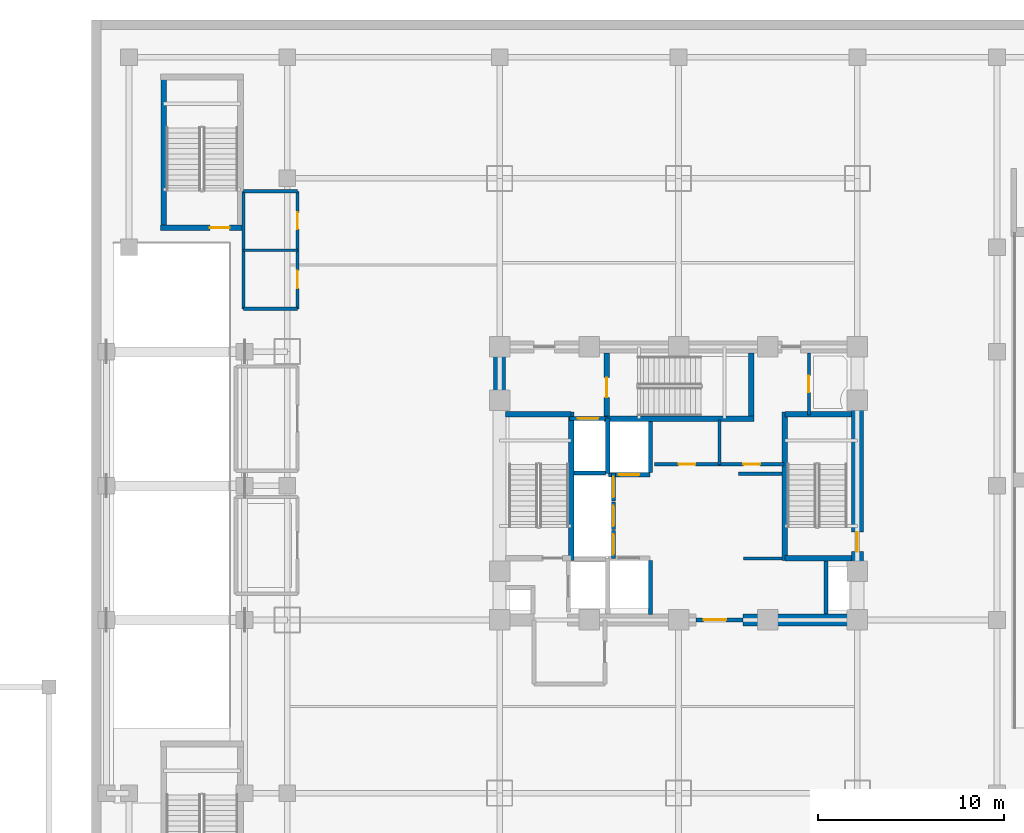
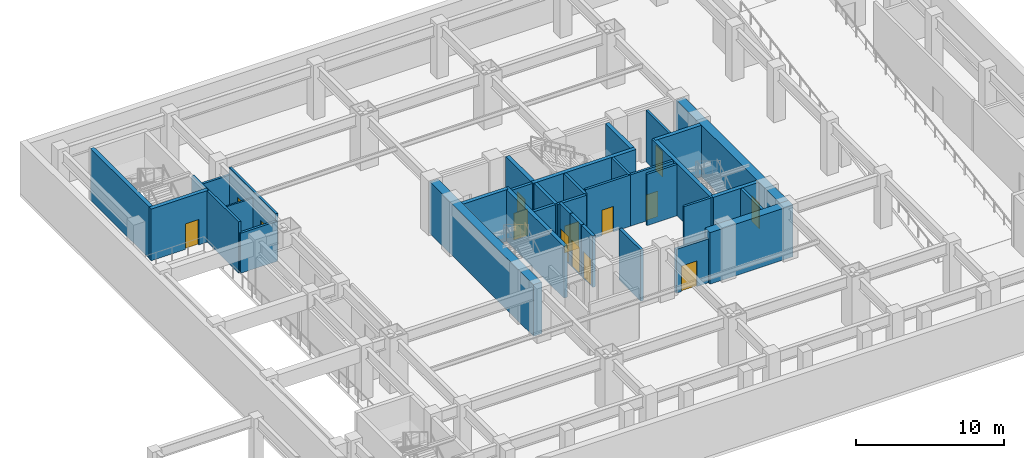
# One storey, part 4 of 12: 35 walls, 14 doors, 14 openings.
"""IFC4 building model written with IfcOpenShell, lengths in metres."""

import ifcopenshell
import ifcopenshell.guid

model = None  # the IFC model being written
_history = None  # IfcOwnerHistory: only IFC2X3 demands one
_inside = {}  # id of a spatial element -> (the spatial element, [elements in it])
_under = {}  # id of a project, library or spatial element -> (it, [spatial elements below it])
_declared = {}  # id of a project -> (the project, [libraries it declares])
_typed = {}  # id of a type object -> (the type object, [elements of that type])
_made_of = {}  # id of a material, layer set ... -> (it, [elements and type objects made of it])


def new_model(schema):
    """Start an empty IFC model of exactly this schema.

    Asked for "IFC4X3", IfcOpenShell would pick the latest addendum, in which some entities
    have other attributes; the version numbers below select the first issue.
    IFC2X3 requires an IfcOwnerHistory on every rooted entity: one is made here for all.
    """
    global model, _history
    if schema == "IFC4X3":
        model = ifcopenshell.file(schema_version=(4, 3, 0, 0))
    else:
        model = ifcopenshell.file(schema=schema)
    _inside.clear()
    _under.clear()
    _declared.clear()
    _typed.clear()
    _made_of.clear()
    _history = None
    if model.schema == "IFC2X3":
        org = make("IfcOrganization", Name="unknown")
        user = make(
            "IfcPersonAndOrganization",
            ThePerson=make("IfcPerson", FamilyName="unknown"),
            TheOrganization=org,
        )
        app = make(
            "IfcApplication",
            ApplicationDeveloper=org,
            Version="unknown",
            ApplicationFullName="unknown",
            ApplicationIdentifier="unknown",
        )
        _history = make(
            "IfcOwnerHistory",
            OwningUser=user,
            OwningApplication=app,
            ChangeAction="ADDED",
            CreationDate=0,
        )
    return model


def make(cls, **values):
    """One entity of the class cls with the attributes given. An attribute that is None is left unset."""
    return model.create_entity(
        cls, **{name: value for name, value in values.items() if value is not None}
    )


def rooted(cls, **values):
    """An entity with a GlobalId (a new one), such as an element, a storey or a relation."""
    return make(cls, GlobalId=ifcopenshell.guid.new(), OwnerHistory=_history, **values)


def si_unit(unit_type, name, prefix=None):
    """IfcSIUnit, for example si_unit("LENGTHUNIT", "METRE", prefix="MILLI")."""
    return make("IfcSIUnit", UnitType=unit_type, Prefix=prefix, Name=name)


def assignment(units):
    """IfcUnitAssignment: the units of a project."""
    return None if units is None else make("IfcUnitAssignment", Units=units)


def point(xyz):
    """IfcCartesianPoint."""
    return None if xyz is None else make("IfcCartesianPoint", Coordinates=xyz)


def direction(xyz):
    """IfcDirection."""
    return None if xyz is None else make("IfcDirection", DirectionRatios=xyz)


def frame(location, z_axis=None, x_axis=None):
    """IfcAxis2Placement3D, a coordinate frame: its origin and axes. An axis left out is left unset."""
    return make(
        "IfcAxis2Placement3D",
        Location=point(location),
        Axis=direction(z_axis),
        RefDirection=direction(x_axis),
    )


def frame_2d(location, x_axis=None):
    """IfcAxis2Placement2D, a coordinate frame in the plane: its origin and x axis."""
    return make(
        "IfcAxis2Placement2D", Location=point(location), RefDirection=direction(x_axis)
    )


def origin():
    """The frame at (0, 0, 0) with its axes left unset."""
    return frame((0.0, 0.0, 0.0))


def place(relative_to, where):
    """IfcLocalPlacement: puts the frame where relative to a parent placement (None: the world)."""
    return make(
        "IfcLocalPlacement", PlacementRelTo=relative_to, RelativePlacement=where
    )


def context(
    kind, dimensions, precision=None, world=None, true_north=None, identifier=None
):
    """IfcGeometricRepresentationContext, for example the 3D "Model" context."""
    return make(
        "IfcGeometricRepresentationContext",
        ContextIdentifier=identifier,
        ContextType=kind,
        CoordinateSpaceDimension=dimensions,
        Precision=precision,
        WorldCoordinateSystem=world,
        TrueNorth=true_north,
    )


def subcontext(parent, identifier, kind, view, scale=None):
    """IfcGeometricRepresentationSubContext, for example "Body" below "Model"."""
    return make(
        "IfcGeometricRepresentationSubContext",
        ContextIdentifier=identifier,
        ContextType=kind,
        ParentContext=parent,
        TargetScale=scale,
        TargetView=view,
    )


def project(units=None, contexts=None):
    """IfcProject with its units and contexts."""
    return rooted(
        "IfcProject",
        Name="project",
        RepresentationContexts=contexts,
        UnitsInContext=assignment(units),
    )


def spatial(cls, under=None, at=None, **own):
    """A site, building, storey or space (cls), placed at a placement, below another one or the project."""
    s = rooted(cls, ObjectPlacement=at, **own)
    if under is not None:
        _under.setdefault(under.id(), (under, []))[1].append(s)
    return s


def profile(cls, at=None, kind="AREA", **sizes):
    """A parametric profile (cls). Its sizes go by their IFC names, for example OverallWidth=200.0."""
    return make(cls, ProfileType=kind, Position=at, **sizes)


def rectangle(**sizes):
    """IfcRectangleProfileDef."""
    return profile("IfcRectangleProfileDef", **sizes)


def extrude(swept, where, along, depth):
    """IfcExtrudedAreaSolid: the profile swept, set in the frame where, extruded along a direction by depth."""
    return make(
        "IfcExtrudedAreaSolid",
        SweptArea=swept,
        Position=where,
        ExtrudedDirection=direction(along),
        Depth=depth,
    )


def shape(context_of_items, identifier, shape_type, items):
    """IfcShapeRepresentation: the items that make up one representation, for example the "Body"."""
    return make(
        "IfcShapeRepresentation",
        ContextOfItems=context_of_items,
        RepresentationIdentifier=identifier,
        RepresentationType=shape_type,
        Items=items,
    )


def material(Name=None, Category=None):
    """IfcMaterial."""
    return make("IfcMaterial", Name=Name, Category=Category)


def layer(
    of_material, thickness, ventilated=None, Name=None, Category=None, Priority=None
):
    """IfcMaterialLayer: one layer of a wall or slab, of a material (None: an air gap)."""
    return make(
        "IfcMaterialLayer",
        Material=of_material,
        LayerThickness=thickness,
        IsVentilated=ventilated,
        Name=Name,
        Category=Category,
        Priority=Priority,
    )


def layer_set(layers, Name=None):
    """IfcMaterialLayerSet."""
    return make("IfcMaterialLayerSet", MaterialLayers=layers, LayerSetName=Name)


def made_of(thing, what):
    """Note that an element or type object is made of a material, layer set ...; save() writes the relation."""
    if what is not None:
        _made_of.setdefault(what.id(), (what, []))[1].append(thing)
    return thing


def type_object(cls, material=None, **own):
    """A type object (cls), such as IfcWallType, which elements share."""
    return made_of(rooted(cls, **own), material)


def element(
    cls,
    number,
    at=None,
    inside=None,
    cuts=None,
    type_object=None,
    material=None,
    context=None,
    identifier="Body",
    shape_type=None,
    held_by="IfcProductDefinitionShape",
    body=None,
    shapes=None,
    **own,
):
    """One element of the class cls, such as IfcWall. Its Tag is "e" and its number.

    at: its placement. inside: the storey or other place that contains it. cuts: it is an
    opening in that element (IfcRelVoidsElement). A single representation is given by context,
    identifier, shape_type and body (its items); several are given by shapes. held_by: the class
    of the entity that holds the representations. save() writes the other relations.
    """
    e = rooted(cls, Tag="e%d" % number, ObjectPlacement=at, **own)
    if body is not None:
        shapes = [shape(context, identifier, shape_type, body)]
    if shapes is not None:
        e.Representation = make(held_by, Representations=shapes)
    if inside is not None:
        _inside.setdefault(inside.id(), (inside, []))[1].append(e)
    if cuts is not None:
        rooted(
            "IfcRelVoidsElement", RelatingBuildingElement=cuts, RelatedOpeningElement=e
        )
    if type_object is not None:
        _typed.setdefault(type_object.id(), (type_object, []))[1].append(e)
    return made_of(e, material)


def fill(opening, filler):
    """IfcRelFillsElement: the door or window that sits in an opening."""
    return rooted(
        "IfcRelFillsElement",
        RelatingOpeningElement=opening,
        RelatedBuildingElement=filler,
    )


def aggregate(whole, parts):
    """IfcRelAggregates: a whole, such as a stair, and the parts it consists of."""
    return rooted("IfcRelAggregates", RelatingObject=whole, RelatedObjects=parts)


def save(model, path):
    """Write the relations noted so far, then the file.

    IfcRelAggregates (storeys below a building ...), IfcRelContainedInSpatialStructure (elements
    in a storey), IfcRelDefinesByType, IfcRelAssociatesMaterial and IfcRelDeclares: one each for
    every whole, place, type object, material and project.
    """
    for whole, parts in _under.values():
        aggregate(whole, parts)
    for where, things in _inside.values():
        rooted(
            "IfcRelContainedInSpatialStructure",
            RelatedElements=things,
            RelatingStructure=where,
        )
    for kind, things in _typed.values():
        rooted("IfcRelDefinesByType", RelatedObjects=things, RelatingType=kind)
    for what, things in _made_of.values():
        rooted("IfcRelAssociatesMaterial", RelatedObjects=things, RelatingMaterial=what)
    for by, libraries in _declared.values():
        rooted("IfcRelDeclares", RelatingContext=by, RelatedDefinitions=libraries)
    model.write(path)


model = new_model("IFC4")

# Units and contexts
model_context = context("Model", 3, precision=1e-05, world=origin(), true_north=direction((0.0, 1.0)))
body_context = subcontext(model_context, "Body", "Model", "MODEL_VIEW")
ifc_project = project(units=[si_unit("LENGTHUNIT", "METRE"), si_unit("AREAUNIT", "SQUARE_METRE"), si_unit("VOLUMEUNIT", "CUBIC_METRE"), si_unit("PLANEANGLEUNIT", "RADIAN"), si_unit("MASSUNIT", "GRAM", prefix="KILO")], contexts=[model_context])

# Site, building, storey
site_placement = place(None, origin())
site = spatial("IfcSite", under=ifc_project, at=site_placement, CompositionType="ELEMENT")
building_placement = place(site_placement, origin())
building = spatial("IfcBuilding", under=site, at=building_placement, Name="Vantalir Tower", CompositionType="ELEMENT")
storey_placement = place(building_placement, frame((0.0, 0.0, -4.5)))
storey = spatial("IfcBuildingStorey", under=building, at=storey_placement, Name="B01", CompositionType="ELEMENT", Elevation=-4.5)

# Walls
ifc_material_1 = material(Name="Moisture-resistant en-suite partition", Category="gypsum")
ifc_layer_1 = layer(ifc_material_1, 0.125)
ifc_layer_set_1 = layer_set([ifc_layer_1], Name="Moisture-resistant en-suite partition")
wall_type_1 = type_object("IfcWallType", Name="WL-BATH-125", PredefinedType="PARTITIONING", material=ifc_layer_set_1)
wall_1_placement = place(storey_placement, frame((8.14990234375, 37.64990234375, 0.0), z_axis=(0.0, 0.0, 1.0), x_axis=(1.0, 0.0, 0.0)))
element("IfcWall", 1, at=wall_1_placement, inside=storey, type_object=wall_type_1, Name="B01 Sanitary Divider", PredefinedType="PARTITIONING", context=body_context, shape_type="SweptSolid", body=[
    extrude(rectangle(XDim=2.900146484375, YDim=0.125, at=frame_2d((1.4501953125, 0.0))), origin(), (0.0, 0.0, 1.0), 3.298095703125),
])
ifc_material_2 = material(Name="Concrete C60/75", Category="concrete")
ifc_layer_2 = layer(ifc_material_2, 0.64990234375)
ifc_layer_set_2 = layer_set([ifc_layer_2], Name="Concrete C60/75")
wall_type_2 = type_object("IfcWallType", Name="WL-CORE-650", PredefinedType="SHEAR", material=ifc_layer_set_2)
wall_2_placement = place(storey_placement, frame((34.949951171875, 17.800048828125, 0.0), z_axis=(0.0, 0.0, 1.0), x_axis=(1.0, 0.0, 0.0)))
element("IfcWall", 2, at=wall_2_placement, inside=storey, type_object=wall_type_2, Name="B01 Core Shear Wall South-East", PredefinedType="SHEAR", context=body_context, shape_type="SweptSolid", body=[
    extrude(rectangle(XDim=6.47509765625, YDim=0.64990234375, at=frame_2d((3.237548828125, 0.0))), origin(), (0.0, 0.0, 1.0), 4.25),
])
wall_3_placement = place(storey_placement, frame((21.89990234375, 18.125, 0.0), z_axis=(0.0, 0.0, 1.0), x_axis=(0.0, 1.0, 0.0)))
element("IfcWall", 3, at=wall_3_placement, inside=storey, type_object=wall_type_2, Name="B01 Core Shear Wall West", PredefinedType="SHEAR", context=body_context, shape_type="SweptSolid", body=[
    extrude(rectangle(XDim=14.0, YDim=0.64990234375, at=frame_2d((7.0, 0.0))), origin(), (0.0, 0.0, 1.0), 4.25),
])

# Wall, opening, door
wall_4_placement = place(storey_placement, frame((41.10009765625, 18.125, 0.0), z_axis=(0.0, 0.0, 1.0), x_axis=(0.0, 1.0, 0.0)))
wall_4 = element("IfcWall", 4, at=wall_4_placement, inside=storey, type_object=wall_type_2, Name="B01 Core Shear Wall East", PredefinedType="SHEAR", context=body_context, shape_type="SweptSolid", body=[
    extrude(rectangle(XDim=14.0, YDim=0.64990234375, at=frame_2d((7.0, 0.0))), origin(), (0.0, 0.0, 1.0), 4.25),
])
opening_1_placement = place(wall_4_placement, frame((3.3349609375, 0.0, 0.0)))
opening_1 = element("IfcOpeningElement", 5, at=opening_1_placement, cuts=wall_4, Name="Opening D-ST", PredefinedType="OPENING", context=body_context, shape_type="SweptSolid", body=[
    extrude(rectangle(XDim=1.050048828125, YDim=2.10009765625, at=frame_2d((0.52490234375, 1.050048828125))), frame((0.0, 0.3349609375, 0.0), z_axis=(0.0, -1.0, 0.0), x_axis=(1.0, 0.0, 0.0)), (0.0, 0.0, 1.0), 0.669921875),
])
ifc_material_3 = material(Name="Fire-rated steel door leaf", Category="steel")
door_type_1 = type_object("IfcDoorType", Name="DR-FIRE-STAIR-1050", OperationType="NOTDEFINED", PredefinedType="DOOR", material=ifc_material_3)
door_1_placement = place(opening_1_placement, origin())
door_1 = element("IfcDoor", 6, at=door_1_placement, inside=storey, type_object=door_type_1, Name="B01 Exit Stair ST2 Fire Door", OperationType="SINGLE_SWING_LEFT", OverallHeight=2.10009765625, OverallWidth=1.050048828125, PredefinedType="DOOR", context=body_context, shape_type="SweptSolid", body=[
    extrude(rectangle(XDim=1.050048828125, YDim=2.10009765625, at=frame_2d((0.52490234375, 1.050048828125))), frame((0.0, 0.02490234375, 0.0), z_axis=(0.0, -1.0, 0.0), x_axis=(1.0, 0.0, 0.0)), (0.0, 0.0, 1.0), 0.050048828125),
])
fill(opening_1, door_1)

# Walls
ifc_material_4 = material(Name="Concrete blockwork with fireboard lining", Category="masonry")
ifc_layer_3 = layer(ifc_material_4, 0.219970703125)
ifc_layer_set_3 = layer_set([ifc_layer_3], Name="Concrete blockwork with fireboard lining")
wall_type_3 = type_object("IfcWallType", Name="WL-FFL-220", PredefinedType="PARTITIONING", material=ifc_layer_set_3)
wall_5_placement = place(storey_placement, frame((30.0, 18.080078125, 0.0), z_axis=(0.0, 0.0, 1.0), x_axis=(0.0, 1.0, 0.0)))
element("IfcWall", 7, at=wall_5_placement, inside=storey, type_object=wall_type_3, Name="B01 Service Lift SV1 East Shaft Wall", PredefinedType="PARTITIONING", context=body_context, shape_type="SweptSolid", body=[
    extrude(rectangle(XDim=2.89990234375, YDim=0.219970703125, at=frame_2d((1.449951171875, 0.0))), origin(), (0.0, 0.0, 1.0), 4.22509765625),
])
wall_6_placement = place(storey_placement, frame((30.0, 25.7099609375, 0.0), z_axis=(0.0, 0.0, 1.0), x_axis=(0.0, 1.0, 0.0)))
element("IfcWall", 8, at=wall_6_placement, inside=storey, type_object=wall_type_3, Name="B01 Service Lift SV2 East Shaft Wall", PredefinedType="PARTITIONING", context=body_context, shape_type="SweptSolid", body=[
    extrude(rectangle(XDim=2.72998046875, YDim=0.219970703125, at=frame_2d((1.364990234375, 0.0))), origin(), (0.0, 0.0, 1.0), 4.22509765625),
])

# Wall, opening, door
wall_7_placement = place(storey_placement, frame((32.449951171875, 17.800048828125, 0.0), z_axis=(0.0, 0.0, 1.0), x_axis=(1.0, 0.0, 0.0)))
wall_7 = element("IfcWall", 9, at=wall_7_placement, inside=storey, type_object=wall_type_3, Name="B01 Passenger Lift Lobby South Wall", PredefinedType="PARTITIONING", context=body_context, shape_type="SweptSolid", body=[
    extrude(rectangle(XDim=2.5, YDim=0.219970703125, at=frame_2d((1.25, 0.0))), origin(), (0.0, 0.0, 1.0), 3.60791015625),
])
opening_2_placement = place(wall_7_placement, frame((0.39990234375, 0.0, 0.0)))
opening_2 = element("IfcOpeningElement", 10, at=opening_2_placement, cuts=wall_7, Name="Opening D-STE", PredefinedType="OPENING", context=body_context, shape_type="SweptSolid", body=[
    extrude(rectangle(XDim=1.199951171875, YDim=2.10009765625, at=frame_2d((0.60009765625, 1.050048828125))), frame((0.0, 0.119873046875, 0.0), z_axis=(0.0, -1.0, 0.0), x_axis=(1.0, 0.0, 0.0)), (0.0, 0.0, 1.0), 0.239990234375),
])
ifc_material_5 = material(Name="Solid-core teak veneer suite entrance door", Category="wood")
door_type_2 = type_object("IfcDoorType", Name="DR-SUITE-ENTRY-1200", OperationType="NOTDEFINED", PredefinedType="DOOR", material=ifc_material_5)
door_2_placement = place(opening_2_placement, origin())
door_2 = element("IfcDoor", 11, at=door_2_placement, inside=storey, type_object=door_type_2, Name="B01 Passenger Lift Lobby Concourse Door", OperationType="SINGLE_SWING_RIGHT", OverallHeight=2.10009765625, OverallWidth=1.199951171875, PredefinedType="DOOR", context=body_context, shape_type="SweptSolid", body=[
    extrude(rectangle(XDim=1.199951171875, YDim=2.10009765625, at=frame_2d((0.60009765625, 1.050048828125))), frame((0.0, 0.02490234375, 0.0), z_axis=(0.0, -1.0, 0.0), x_axis=(1.0, 0.0, 0.0)), (0.0, 0.0, 1.0), 0.050048828125),
])
fill(opening_2, door_2)

# Wall
wall_8_placement = place(storey_placement, frame((39.419921875, 18.125, 0.0), z_axis=(0.0, 0.0, 1.0), x_axis=(0.0, 1.0, 0.0)))
element("IfcWall", 12, at=wall_8_placement, inside=storey, type_object=wall_type_3, Name="B01 East MEP Riser Wall W", PredefinedType="PARTITIONING", context=body_context, shape_type="SweptSolid", body=[
    extrude(rectangle(XDim=2.824951171875, YDim=0.219970703125, at=frame_2d((1.41259765625, 0.0))), origin(), (0.0, 0.0, 1.0), 4.22998046875),
])

# Wall, opening, door
wall_9_placement = place(storey_placement, frame((25.639892578125, 28.610107421875, 0.0), z_axis=(0.0, 0.0, 1.0), x_axis=(1.0, 0.0, 0.0)))
wall_9 = element("IfcWall", 13, at=wall_9_placement, inside=storey, type_object=wall_type_3, Name="B01 Lift FL2 Shaft Front Wall", PredefinedType="PARTITIONING", context=body_context, shape_type="SweptSolid", body=[
    extrude(rectangle(XDim=2.02001953125, YDim=0.219970703125, at=frame_2d((1.010009765625, 0.0))), origin(), (0.0, 0.0, 1.0), 4.22998046875),
])
opening_3_placement = place(wall_9_placement, frame((0.4599609375, 0.0, 0.0)))
opening_3 = element("IfcOpeningElement", 14, at=opening_3_placement, cuts=wall_9, Name="Opening LD-FL2", PredefinedType="OPENING", context=body_context, shape_type="SweptSolid", body=[
    extrude(rectangle(XDim=1.10009765625, YDim=2.199951171875, at=frame_2d((0.550048828125, 1.10009765625))), frame((0.0, 0.119873046875, 0.0), z_axis=(0.0, -1.0, 0.0), x_axis=(1.0, 0.0, 0.0)), (0.0, 0.0, 1.0), 0.239990234375),
])
ifc_material_6 = material(Name="Brushed stainless-steel sliding lift landing door", Category="steel")
door_type_3 = type_object("IfcDoorType", Name="DR-LIFT-LANDING-1100", OperationType="DOUBLE_DOOR_SLIDING", PredefinedType="DOOR", material=ifc_material_6)
door_3_placement = place(opening_3_placement, origin())
door_3 = element("IfcDoor", 15, at=door_3_placement, inside=storey, type_object=door_type_3, Name="B01 Lift Landing Door FL2", OperationType="DOUBLE_DOOR_SLIDING", OverallHeight=2.199951171875, OverallWidth=1.10009765625, PredefinedType="DOOR", context=body_context, shape_type="SweptSolid", body=[
    extrude(rectangle(XDim=1.10009765625, YDim=2.199951171875, at=frame_2d((0.550048828125, 1.10009765625))), frame((0.0, 0.02490234375, 0.0), z_axis=(0.0, -1.0, 0.0), x_axis=(1.0, 0.0, 0.0)), (0.0, 0.0, 1.0), 0.050048828125),
])
fill(opening_3, door_3)

wall_10_placement = place(storey_placement, frame((27.739990234375, 25.590087890625, 0.0), z_axis=(0.0, 0.0, 1.0), x_axis=(1.0, 0.0, 0.0)))
wall_10 = element("IfcWall", 16, at=wall_10_placement, inside=storey, type_object=wall_type_3, Name="B01 Lift SV2 Shaft Front Wall", PredefinedType="PARTITIONING", context=body_context, shape_type="SweptSolid", body=[
    extrude(rectangle(XDim=2.219970703125, YDim=0.219970703125, at=frame_2d((1.10986328125, 0.0))), origin(), (0.0, 0.0, 1.0), 4.22998046875),
])
opening_4_placement = place(wall_10_placement, frame((0.56005859375, 0.0, 0.0)))
opening_4 = element("IfcOpeningElement", 17, at=opening_4_placement, cuts=wall_10, Name="Opening LD-SV2", PredefinedType="OPENING", context=body_context, shape_type="SweptSolid", body=[
    extrude(rectangle(XDim=1.10009765625, YDim=2.199951171875, at=frame_2d((0.550048828125, 1.10009765625))), frame((0.0, 0.119873046875, 0.0), z_axis=(0.0, -1.0, 0.0), x_axis=(1.0, 0.0, 0.0)), (0.0, 0.0, 1.0), 0.239990234375),
])
door_4_placement = place(opening_4_placement, frame((1.10009765625, 0.0, 0.0), z_axis=(0.0, 0.0, 1.0), x_axis=(-1.0, 0.0, 0.0)))
door_4 = element("IfcDoor", 18, at=door_4_placement, inside=storey, type_object=door_type_3, Name="B01 Lift Landing Door SV2", OperationType="DOUBLE_DOOR_SLIDING", OverallHeight=2.199951171875, OverallWidth=1.10009765625, PredefinedType="DOOR", context=body_context, shape_type="SweptSolid", body=[
    extrude(rectangle(XDim=1.10009765625, YDim=2.199951171875, at=frame_2d((0.550048828125, 1.10009765625))), frame((0.0, 0.02490234375, 0.0), z_axis=(0.0, -1.0, 0.0), x_axis=(1.0, 0.0, 0.0)), (0.0, 0.0, 1.0), 0.050048828125),
])
fill(opening_4, door_4)

wall_11_placement = place(storey_placement, frame((28.010009765625, 21.10009765625, 0.0), z_axis=(0.0, 0.0, 1.0), x_axis=(0.0, 1.0, 0.0)))
wall_11 = element("IfcWall", 19, at=wall_11_placement, inside=storey, type_object=wall_type_3, Name="B01 Lift PL-L1 Shaft Front Wall", PredefinedType="PARTITIONING", context=body_context, shape_type="SweptSolid", body=[
    extrude(rectangle(XDim=1.5, YDim=0.219970703125, at=frame_2d((0.75, 0.0))), origin(), (0.0, 0.0, 1.0), 4.22998046875),
])
opening_5_placement = place(wall_11_placement, frame((0.199951171875, 0.0, 0.0)))
opening_5 = element("IfcOpeningElement", 20, at=opening_5_placement, cuts=wall_11, Name="Opening LD-PL-L1", PredefinedType="OPENING", context=body_context, shape_type="SweptSolid", body=[
    extrude(rectangle(XDim=1.10009765625, YDim=2.199951171875, at=frame_2d((0.550048828125, 1.10009765625))), frame((0.0, 0.119873046875, 0.0), z_axis=(0.0, -1.0, 0.0), x_axis=(1.0, 0.0, 0.0)), (0.0, 0.0, 1.0), 0.239990234375),
])
door_5_placement = place(opening_5_placement, frame((1.10009765625, 0.0, 0.0), z_axis=(0.0, 0.0, 1.0), x_axis=(-1.0, 0.0, 0.0)))
door_5 = element("IfcDoor", 21, at=door_5_placement, inside=storey, type_object=door_type_3, Name="B01 Lift Landing Door PL-L1", OperationType="DOUBLE_DOOR_SLIDING", OverallHeight=2.199951171875, OverallWidth=1.10009765625, PredefinedType="DOOR", context=body_context, shape_type="SweptSolid", body=[
    extrude(rectangle(XDim=1.10009765625, YDim=2.199951171875, at=frame_2d((0.550048828125, 1.10009765625))), frame((0.0, 0.02490234375, 0.0), z_axis=(0.0, -1.0, 0.0), x_axis=(1.0, 0.0, 0.0)), (0.0, 0.0, 1.0), 0.050048828125),
])
fill(opening_5, door_5)

wall_12_placement = place(storey_placement, frame((28.010009765625, 22.639892578125, 0.0), z_axis=(0.0, 0.0, 1.0), x_axis=(0.0, 1.0, 0.0)))
wall_12 = element("IfcWall", 22, at=wall_12_placement, inside=storey, type_object=wall_type_3, Name="B01 Lift PL-L2 Shaft Front Wall", PredefinedType="PARTITIONING", context=body_context, shape_type="SweptSolid", body=[
    extrude(rectangle(XDim=1.5, YDim=0.219970703125, at=frame_2d((0.75, 0.0))), origin(), (0.0, 0.0, 1.0), 4.22998046875),
])
opening_6_placement = place(wall_12_placement, frame((0.199951171875, 0.0, 0.0)))
opening_6 = element("IfcOpeningElement", 23, at=opening_6_placement, cuts=wall_12, Name="Opening LD-PL-L2", PredefinedType="OPENING", context=body_context, shape_type="SweptSolid", body=[
    extrude(rectangle(XDim=1.10009765625, YDim=2.199951171875, at=frame_2d((0.550048828125, 1.10009765625))), frame((0.0, 0.119873046875, 0.0), z_axis=(0.0, -1.0, 0.0), x_axis=(1.0, 0.0, 0.0)), (0.0, 0.0, 1.0), 0.239990234375),
])
door_6_placement = place(opening_6_placement, frame((1.10009765625, 0.0, 0.0), z_axis=(0.0, 0.0, 1.0), x_axis=(-1.0, 0.0, 0.0)))
door_6 = element("IfcDoor", 24, at=door_6_placement, inside=storey, type_object=door_type_3, Name="B01 Lift Landing Door PL-L2", OperationType="DOUBLE_DOOR_SLIDING", OverallHeight=2.199951171875, OverallWidth=1.10009765625, PredefinedType="DOOR", context=body_context, shape_type="SweptSolid", body=[
    extrude(rectangle(XDim=1.10009765625, YDim=2.199951171875, at=frame_2d((0.550048828125, 1.10009765625))), frame((0.0, 0.02490234375, 0.0), z_axis=(0.0, -1.0, 0.0), x_axis=(1.0, 0.0, 0.0)), (0.0, 0.0, 1.0), 0.050048828125),
])
fill(opening_6, door_6)

wall_13_placement = place(storey_placement, frame((28.010009765625, 24.179931640625, 0.0), z_axis=(0.0, 0.0, 1.0), x_axis=(0.0, 1.0, 0.0)))
wall_13 = element("IfcWall", 25, at=wall_13_placement, inside=storey, type_object=wall_type_3, Name="B01 Lift PL-L3 Shaft Front Wall", PredefinedType="PARTITIONING", context=body_context, shape_type="SweptSolid", body=[
    extrude(rectangle(XDim=1.5, YDim=0.219970703125, at=frame_2d((0.75, 0.0))), origin(), (0.0, 0.0, 1.0), 4.22998046875),
])
opening_7_placement = place(wall_13_placement, frame((0.199951171875, 0.0, 0.0)))
opening_7 = element("IfcOpeningElement", 26, at=opening_7_placement, cuts=wall_13, Name="Opening LD-PL-L3", PredefinedType="OPENING", context=body_context, shape_type="SweptSolid", body=[
    extrude(rectangle(XDim=1.10009765625, YDim=2.199951171875, at=frame_2d((0.550048828125, 1.10009765625))), frame((0.0, 0.119873046875, 0.0), z_axis=(0.0, -1.0, 0.0), x_axis=(1.0, 0.0, 0.0)), (0.0, 0.0, 1.0), 0.239990234375),
])
door_7_placement = place(opening_7_placement, frame((1.10009765625, 0.0, 0.0), z_axis=(0.0, 0.0, 1.0), x_axis=(-1.0, 0.0, 0.0)))
door_7 = element("IfcDoor", 27, at=door_7_placement, inside=storey, type_object=door_type_3, Name="B01 Lift Landing Door PL-L3", OperationType="DOUBLE_DOOR_SLIDING", OverallHeight=2.199951171875, OverallWidth=1.10009765625, PredefinedType="DOOR", context=body_context, shape_type="SweptSolid", body=[
    extrude(rectangle(XDim=1.10009765625, YDim=2.199951171875, at=frame_2d((0.550048828125, 1.10009765625))), frame((0.0, 0.02490234375, 0.0), z_axis=(0.0, -1.0, 0.0), x_axis=(1.0, 0.0, 0.0)), (0.0, 0.0, 1.0), 0.050048828125),
])
fill(opening_7, door_7)

# Walls
wall_14_placement = place(storey_placement, frame((27.699951171875, 25.64990234375, 0.0), z_axis=(0.0, 0.0, 1.0), x_axis=(0.0, 1.0, 0.0)))
element("IfcWall", 28, at=wall_14_placement, inside=storey, type_object=wall_type_3, Name="B01 Fire Lift FL2 Dividing Wall", PredefinedType="PARTITIONING", context=body_context, shape_type="SweptSolid", body=[
    extrude(rectangle(XDim=3.0, YDim=0.219970703125, at=frame_2d((1.5, 0.0))), origin(), (0.0, 0.0, 1.0), 4.22998046875),
])
wall_15_placement = place(storey_placement, frame((25.8798828125, 25.679931640625, 0.0), z_axis=(0.0, 0.0, 1.0), x_axis=(1.0, 0.0, 0.0)))
element("IfcWall", 29, at=wall_15_placement, inside=storey, type_object=wall_type_3, Name="B01 Low-Rise Bank North Wall", PredefinedType="PARTITIONING", context=body_context, shape_type="SweptSolid", body=[
    extrude(rectangle(XDim=1.7001953125, YDim=0.219970703125, at=frame_2d((0.85009765625, 0.0))), origin(), (0.0, 0.0, 1.0), 4.22998046875),
])
ifc_material_7 = material(Name="Twin-stud acoustic fire-rated gypsum partition", Category="gypsum")
ifc_layer_4 = layer(ifc_material_7, 0.179931640625)
ifc_layer_set_4 = layer_set([ifc_layer_4], Name="Twin-stud acoustic fire-rated gypsum partition")
wall_type_4 = type_object("IfcWallType", Name="WL-GUEST-180", PredefinedType="PARTITIONING", material=ifc_layer_set_4)
wall_16_placement = place(storey_placement, frame((34.97998046875, 21.10009765625, 0.0), z_axis=(0.0, 0.0, 1.0), x_axis=(1.0, 0.0, 0.0)))
element("IfcWall", 30, at=wall_16_placement, inside=storey, type_object=wall_type_4, Name="B01 Freed East Core South Wall", PredefinedType="PARTITIONING", context=body_context, shape_type="SweptSolid", body=[
    extrude(rectangle(XDim=2.080078125, YDim=0.179931640625, at=frame_2d((1.0400390625, 0.0))), origin(), (0.0, 0.0, 1.0), 4.22998046875),
])
wall_17_placement = place(storey_placement, frame((34.719970703125, 25.64990234375, 0.0), z_axis=(0.0, 0.0, 1.0), x_axis=(1.0, 0.0, 0.0)))
element("IfcWall", 31, at=wall_17_placement, inside=storey, type_object=wall_type_4, Name="B01 Freed East Core North Wall", PredefinedType="PARTITIONING", context=body_context, shape_type="SweptSolid", body=[
    extrude(rectangle(XDim=2.340087890625, YDim=0.179931640625, at=frame_2d((1.169921875, 0.0))), origin(), (0.0, 0.0, 1.0), 4.22998046875),
])
wall_18_placement = place(storey_placement, frame((33.699951171875, 26.14990234375, 0.0), z_axis=(0.0, 0.0, 1.0), x_axis=(0.0, 1.0, 0.0)))
element("IfcWall", 32, at=wall_18_placement, inside=storey, type_object=wall_type_4, Name="B01 Freed North-Mid Core Divider", PredefinedType="PARTITIONING", context=body_context, shape_type="SweptSolid", body=[
    extrude(rectangle(XDim=2.3701171875, YDim=0.179931640625, at=frame_2d((1.18505859375, 0.0))), origin(), (0.0, 0.0, 1.0), 4.22998046875),
])

# Wall, opening, door
wall_19_placement = place(storey_placement, frame((30.199951171875, 26.14990234375, 0.0), z_axis=(0.0, 0.0, 1.0), x_axis=(1.0, 0.0, 0.0)))
wall_19 = element("IfcWall", 33, at=wall_19_placement, inside=storey, type_object=wall_type_4, Name="B01 Freed North-Mid Core Wall W", PredefinedType="PARTITIONING", context=body_context, shape_type="SweptSolid", body=[
    extrude(rectangle(XDim=3.5, YDim=0.179931640625, at=frame_2d((1.75, 0.0))), origin(), (0.0, 0.0, 1.0), 4.22998046875),
])
opening_8_placement = place(wall_19_placement, frame((1.300048828125, 0.0, 0.0)))
opening_8 = element("IfcOpeningElement", 34, at=opening_8_placement, cuts=wall_19, Name="Opening D-CR", PredefinedType="OPENING", context=body_context, shape_type="SweptSolid", body=[
    extrude(rectangle(XDim=0.89990234375, YDim=2.10009765625, at=frame_2d((0.449951171875, 1.050048828125))), frame((0.0, 0.099853515625, 0.0), z_axis=(0.0, -1.0, 0.0), x_axis=(1.0, 0.0, 0.0)), (0.0, 0.0, 1.0), 0.199951171875),
])
ifc_material_8 = material(Name="Fire-rated steel core service door", Category="steel")
door_type_4 = type_object("IfcDoorType", Name="DR-CORE-SERV-900", OperationType="NOTDEFINED", PredefinedType="DOOR", material=ifc_material_8)
door_8_placement = place(opening_8_placement, origin())
door_8 = element("IfcDoor", 35, at=door_8_placement, inside=storey, type_object=door_type_4, Name="B01 Core Cloakroom Store Door", OperationType="SINGLE_SWING_LEFT", OverallHeight=2.10009765625, OverallWidth=0.89990234375, PredefinedType="DOOR", context=body_context, shape_type="SweptSolid", body=[
    extrude(rectangle(XDim=0.89990234375, YDim=2.10009765625, at=frame_2d((0.449951171875, 1.050048828125))), frame((0.0, 0.02490234375, 0.0), z_axis=(0.0, -1.0, 0.0), x_axis=(1.0, 0.0, 0.0)), (0.0, 0.0, 1.0), 0.050048828125),
])
fill(opening_8, door_8)

wall_20_placement = place(storey_placement, frame((33.699951171875, 26.14990234375, 0.0), z_axis=(0.0, 0.0, 1.0), x_axis=(1.0, 0.0, 0.0)))
wall_20 = element("IfcWall", 36, at=wall_20_placement, inside=storey, type_object=wall_type_4, Name="B01 Freed North-Mid Core Wall E", PredefinedType="PARTITIONING", context=body_context, shape_type="SweptSolid", body=[
    extrude(rectangle(XDim=3.449951171875, YDim=0.179931640625, at=frame_2d((1.72509765625, 0.0))), origin(), (0.0, 0.0, 1.0), 4.22998046875),
])
opening_9_placement = place(wall_20_placement, frame((1.27490234375, 0.0, 0.0)))
opening_9 = element("IfcOpeningElement", 37, at=opening_9_placement, cuts=wall_20, Name="Opening D-CR", PredefinedType="OPENING", context=body_context, shape_type="SweptSolid", body=[
    extrude(rectangle(XDim=0.89990234375, YDim=2.10009765625, at=frame_2d((0.449951171875, 1.050048828125))), frame((0.0, 0.099853515625, 0.0), z_axis=(0.0, -1.0, 0.0), x_axis=(1.0, 0.0, 0.0)), (0.0, 0.0, 1.0), 0.199951171875),
])
door_9_placement = place(opening_9_placement, origin())
door_9 = element("IfcDoor", 38, at=door_9_placement, inside=storey, type_object=door_type_4, Name="B01 Core AV Room Door", OperationType="SINGLE_SWING_RIGHT", OverallHeight=2.10009765625, OverallWidth=0.89990234375, PredefinedType="DOOR", context=body_context, shape_type="SweptSolid", body=[
    extrude(rectangle(XDim=0.89990234375, YDim=2.10009765625, at=frame_2d((0.449951171875, 1.050048828125))), frame((0.0, 0.02490234375, 0.0), z_axis=(0.0, -1.0, 0.0), x_axis=(1.0, 0.0, 0.0)), (0.0, 0.0, 1.0), 0.050048828125),
])
fill(opening_9, door_9)

wall_21_placement = place(storey_placement, frame((38.5, 28.800048828125, 0.0), z_axis=(0.0, 0.0, 1.0), x_axis=(0.0, 1.0, 0.0)))
wall_21 = element("IfcWall", 39, at=wall_21_placement, inside=storey, type_object=wall_type_4, Name="B01 Core Switchroom Partition", PredefinedType="PARTITIONING", context=body_context, shape_type="SweptSolid", body=[
    extrude(rectangle(XDim=3.324951171875, YDim=0.179931640625, at=frame_2d((1.66259765625, 0.0))), origin(), (0.0, 0.0, 1.0), 4.22998046875),
])
opening_10_placement = place(wall_21_placement, frame((1.2119140625, 0.0, 0.0)))
opening_10 = element("IfcOpeningElement", 40, at=opening_10_placement, cuts=wall_21, Name="Opening D-CR", PredefinedType="OPENING", context=body_context, shape_type="SweptSolid", body=[
    extrude(rectangle(XDim=0.89990234375, YDim=2.10009765625, at=frame_2d((0.449951171875, 1.050048828125))), frame((0.0, 0.099853515625, 0.0), z_axis=(0.0, -1.0, 0.0), x_axis=(1.0, 0.0, 0.0)), (0.0, 0.0, 1.0), 0.199951171875),
])
door_10_placement = place(opening_10_placement, frame((0.89990234375, 0.0, 0.0), z_axis=(0.0, 0.0, 1.0), x_axis=(-1.0, 0.0, 0.0)))
door_10 = element("IfcDoor", 41, at=door_10_placement, inside=storey, type_object=door_type_4, Name="B01 Core Electrical Switchroom Door", OperationType="SINGLE_SWING_RIGHT", OverallHeight=2.10009765625, OverallWidth=0.89990234375, PredefinedType="DOOR", context=body_context, shape_type="SweptSolid", body=[
    extrude(rectangle(XDim=0.89990234375, YDim=2.10009765625, at=frame_2d((0.449951171875, 1.050048828125))), frame((0.0, 0.02490234375, 0.0), z_axis=(0.0, -1.0, 0.0), x_axis=(1.0, 0.0, 0.0)), (0.0, 0.0, 1.0), 0.050048828125),
])
fill(opening_10, door_10)

# Wall, openings, doors
wall_22_placement = place(storey_placement, frame((11.050048828125, 34.5, 0.0), z_axis=(0.0, 0.0, 1.0), x_axis=(0.0, 1.0, 0.0)))
wall_22 = element("IfcWall", 42, at=wall_22_placement, inside=storey, type_object=wall_type_4, Name="B01 Sanitary Block East Wall", PredefinedType="PARTITIONING", context=body_context, shape_type="SweptSolid", body=[
    extrude(rectangle(XDim=6.300048828125, YDim=0.179931640625, at=frame_2d((3.14990234375, 0.0))), origin(), (0.0, 0.0, 1.0), 3.8720703125),
])
opening_11_placement = place(wall_22_placement, frame((1.10009765625, 0.0, 0.0)))
opening_11 = element("IfcOpeningElement", 43, at=opening_11_placement, cuts=wall_22, Name="Opening D-AWC", PredefinedType="OPENING", context=body_context, shape_type="SweptSolid", body=[
    extrude(rectangle(XDim=0.949951171875, YDim=2.10009765625, at=frame_2d((0.47509765625, 1.050048828125))), frame((0.0, 0.099853515625, 0.0), z_axis=(0.0, -1.0, 0.0), x_axis=(1.0, 0.0, 0.0)), (0.0, 0.0, 1.0), 0.199951171875),
])
opening_12_placement = place(wall_22_placement, frame((4.27490234375, 0.0, 0.0)))
opening_12 = element("IfcOpeningElement", 44, at=opening_12_placement, cuts=wall_22, Name="Opening D-WC", PredefinedType="OPENING", context=body_context, shape_type="SweptSolid", body=[
    extrude(rectangle(XDim=0.89990234375, YDim=2.10009765625, at=frame_2d((0.449951171875, 1.050048828125))), frame((0.0, 0.099853515625, 0.0), z_axis=(0.0, -1.0, 0.0), x_axis=(1.0, 0.0, 0.0)), (0.0, 0.0, 1.0), 0.199951171875),
])
ifc_material_9 = material(Name="Accessible toilet outward-opening hardwood door", Category="wood")
door_type_5 = type_object("IfcDoorType", Name="DR-ACC-WC-950", OperationType="NOTDEFINED", PredefinedType="DOOR", material=ifc_material_9)
door_11_placement = place(opening_11_placement, frame((0.949951171875, 0.0, 0.0), z_axis=(0.0, 0.0, 1.0), x_axis=(-1.0, 0.0, 0.0)))
door_11 = element("IfcDoor", 45, at=door_11_placement, inside=storey, type_object=door_type_5, Name="B01 Accessible WC Door", OperationType="SINGLE_SWING_LEFT", OverallHeight=2.10009765625, OverallWidth=0.949951171875, PredefinedType="DOOR", context=body_context, shape_type="SweptSolid", body=[
    extrude(rectangle(XDim=0.949951171875, YDim=2.10009765625, at=frame_2d((0.47509765625, 1.050048828125))), frame((0.0, 0.02490234375, 0.0), z_axis=(0.0, -1.0, 0.0), x_axis=(1.0, 0.0, 0.0)), (0.0, 0.0, 1.0), 0.050048828125),
])
fill(opening_11, door_11)
ifc_material_10 = material(Name="Moisture-resistant hardwood door", Category="wood")
door_type_6 = type_object("IfcDoorType", Name="DR-ENSUITE-900", OperationType="NOTDEFINED", PredefinedType="DOOR", material=ifc_material_10)
door_12_placement = place(opening_12_placement, origin())
door_12 = element("IfcDoor", 46, at=door_12_placement, inside=storey, type_object=door_type_6, Name="B01 Staff WC Door", OperationType="SINGLE_SWING_LEFT", OverallHeight=2.10009765625, OverallWidth=0.89990234375, PredefinedType="DOOR", context=body_context, shape_type="SweptSolid", body=[
    extrude(rectangle(XDim=0.89990234375, YDim=2.10009765625, at=frame_2d((0.449951171875, 1.050048828125))), frame((0.0, 0.02490234375, 0.0), z_axis=(0.0, -1.0, 0.0), x_axis=(1.0, 0.0, 0.0)), (0.0, 0.0, 1.0), 0.050048828125),
])
fill(opening_12, door_12)

# Walls
for number, where, z_axis, x_axis, name in (
    (47, (8.14990234375, 40.800048828125, 0.0), (0.0, 0.0, 1.0), (1.0, 0.0, 0.0), "B01 Sanitary North Wall"),
    (48, (8.14990234375, 34.5, 0.0), (0.0, 0.0, 1.0), (1.0, 0.0, 0.0), "B01 Sanitary South Wall"),
):
    element("IfcWall", number, at=place(storey_placement, frame(where, z_axis=z_axis, x_axis=x_axis)), inside=storey, type_object=wall_type_4, Name=name, PredefinedType="PARTITIONING", context=body_context, shape_type="SweptSolid", body=[
        extrude(rectangle(XDim=2.900146484375, YDim=0.179931640625, at=frame_2d((1.4501953125, 0.0))), origin(), (0.0, 0.0, 1.0), 3.298095703125),
    ])
wall_23_placement = place(storey_placement, frame((8.14990234375, 34.5, 0.0), z_axis=(0.0, 0.0, 1.0), x_axis=(0.0, 1.0, 0.0)))
element("IfcWall", 49, at=wall_23_placement, inside=storey, type_object=wall_type_4, Name="B01 Sanitary West Wall", PredefinedType="PARTITIONING", context=body_context, shape_type="SweptSolid", body=[
    extrude(rectangle(XDim=6.300048828125, YDim=0.179931640625, at=frame_2d((3.14990234375, 0.0))), origin(), (0.0, 0.0, 1.0), 4.22998046875),
])
ifc_material_11 = material(Name="Concrete C50/60", Category="concrete")
ifc_layer_5 = layer(ifc_material_11, 0.300048828125)
ifc_layer_set_5 = layer_set([ifc_layer_5], Name="Concrete C50/60")
wall_type_5 = type_object("IfcWallType", Name="WL-STAIR-300", PredefinedType="SHEAR", material=ifc_layer_set_5)
wall_24_placement = place(storey_placement, frame((22.22509765625, 28.85009765625, 0.0), z_axis=(0.0, 0.0, 1.0), x_axis=(1.0, 0.0, 0.0)))
element("IfcWall", 50, at=wall_24_placement, inside=storey, type_object=wall_type_5, Name="B01 Stair ST1 North Wall", PredefinedType="SHEAR", context=body_context, shape_type="SweptSolid", body=[
    extrude(rectangle(XDim=3.514892578125, YDim=0.300048828125, at=frame_2d((1.75732421875, 0.0))), origin(), (0.0, 0.0, 1.0), 4.25),
])
wall_25_placement = place(storey_placement, frame((25.739990234375, 20.97998046875, 0.0), z_axis=(0.0, 0.0, 1.0), x_axis=(0.0, 1.0, 0.0)))
element("IfcWall", 51, at=wall_25_placement, inside=storey, type_object=wall_type_5, Name="B01 Stair ST1 East Wall", PredefinedType="SHEAR", context=body_context, shape_type="SweptSolid", body=[
    extrude(rectangle(XDim=7.989990234375, YDim=0.300048828125, at=frame_2d((3.9951171875, 0.0))), origin(), (0.0, 0.0, 1.0), 4.25),
])
for number, where, z_axis, x_axis, name in (
    (52, (37.2099609375, 21.10009765625, 0.0), (0.0, 0.0, 1.0), (1.0, 0.0, 0.0), "B01 Stair ST2 South Wall"),
    (53, (37.2099609375, 28.85009765625, 0.0), (0.0, 0.0, 1.0), (1.0, 0.0, 0.0), "B01 Stair ST2 North Wall"),
):
    element("IfcWall", number, at=place(storey_placement, frame(where, z_axis=z_axis, x_axis=x_axis)), inside=storey, type_object=wall_type_5, Name=name, PredefinedType="SHEAR", context=body_context, shape_type="SweptSolid", body=[
        extrude(rectangle(XDim=3.56494140625, YDim=0.300048828125, at=frame_2d((1.782470703125, 0.0))), origin(), (0.0, 0.0, 1.0), 4.25),
    ])
wall_26_placement = place(storey_placement, frame((37.2099609375, 20.97998046875, 0.0), z_axis=(0.0, 0.0, 1.0), x_axis=(0.0, 1.0, 0.0)))
element("IfcWall", 54, at=wall_26_placement, inside=storey, type_object=wall_type_5, Name="B01 Stair ST2 West Wall", PredefinedType="SHEAR", context=body_context, shape_type="SweptSolid", body=[
    extrude(rectangle(XDim=7.989990234375, YDim=0.300048828125, at=frame_2d((3.9951171875, 0.0))), origin(), (0.0, 0.0, 1.0), 4.25),
])
wall_27_placement = place(storey_placement, frame((27.510009765625, 28.60009765625, 0.0), z_axis=(0.0, 0.0, 1.0), x_axis=(1.0, 0.0, 0.0)))
element("IfcWall", 55, at=wall_27_placement, inside=storey, type_object=wall_type_5, Name="B01 Stair ST3 South Wall", PredefinedType="SHEAR", context=body_context, shape_type="SweptSolid", body=[
    extrude(rectangle(XDim=8.030029296875, YDim=0.300048828125, at=frame_2d((4.01513671875, 0.0))), origin(), (0.0, 0.0, 1.0), 4.25),
])

# Wall, opening, door
wall_28_placement = place(storey_placement, frame((27.64990234375, 28.75, 0.0), z_axis=(0.0, 0.0, 1.0), x_axis=(0.0, 1.0, 0.0)))
wall_28 = element("IfcWall", 56, at=wall_28_placement, inside=storey, type_object=wall_type_5, Name="B01 Stair ST3 West Wall", PredefinedType="SHEAR", context=body_context, shape_type="SweptSolid", body=[
    extrude(rectangle(XDim=3.375, YDim=0.300048828125, at=frame_2d((1.6875, 0.0))), origin(), (0.0, 0.0, 1.0), 4.25),
])
opening_13_placement = place(wall_28_placement, frame((1.0, 0.0, 0.0)))
opening_13 = element("IfcOpeningElement", 57, at=opening_13_placement, cuts=wall_28, Name="Opening D-ST", PredefinedType="OPENING", context=body_context, shape_type="SweptSolid", body=[
    extrude(rectangle(XDim=1.050048828125, YDim=2.10009765625, at=frame_2d((0.52490234375, 1.050048828125))), frame((0.0, 0.159912109375, 0.0), z_axis=(0.0, -1.0, 0.0), x_axis=(1.0, 0.0, 0.0)), (0.0, 0.0, 1.0), 0.320068359375),
])
door_13_placement = place(opening_13_placement, frame((1.050048828125, 0.0, 0.0), z_axis=(0.0, 0.0, 1.0), x_axis=(-1.0, 0.0, 0.0)))
door_13 = element("IfcDoor", 58, at=door_13_placement, inside=storey, type_object=door_type_1, Name="B01 Exit Stair ST3 Fire Door", OperationType="SINGLE_SWING_RIGHT", OverallHeight=2.10009765625, OverallWidth=1.050048828125, PredefinedType="DOOR", context=body_context, shape_type="SweptSolid", body=[
    extrude(rectangle(XDim=1.050048828125, YDim=2.10009765625, at=frame_2d((0.52490234375, 1.050048828125))), frame((0.0, 0.02490234375, 0.0), z_axis=(0.0, -1.0, 0.0), x_axis=(1.0, 0.0, 0.0)), (0.0, 0.0, 1.0), 0.050048828125),
])
fill(opening_13, door_13)

# Wall
wall_29_placement = place(storey_placement, frame((35.39990234375, 28.75, 0.0), z_axis=(0.0, 0.0, 1.0), x_axis=(0.0, 1.0, 0.0)))
element("IfcWall", 59, at=wall_29_placement, inside=storey, type_object=wall_type_5, Name="B01 Stair ST3 East Wall", PredefinedType="SHEAR", context=body_context, shape_type="SweptSolid", body=[
    extrude(rectangle(XDim=3.375, YDim=0.300048828125, at=frame_2d((1.6875, 0.0))), origin(), (0.0, 0.0, 1.0), 4.25),
])

# Wall, opening, door
wall_30_placement = place(storey_placement, frame((3.699951171875, 38.860107421875, 0.0), z_axis=(0.0, 0.0, 1.0), x_axis=(1.0, 0.0, 0.0)))
wall_30 = element("IfcWall", 60, at=wall_30_placement, inside=storey, type_object=wall_type_5, Name="B01 PST1 South Wall", PredefinedType="SHEAR", context=body_context, shape_type="SweptSolid", body=[
    extrude(rectangle(XDim=4.449951171875, YDim=0.300048828125, at=frame_2d((2.22509765625, 0.0))), origin(), (0.0, 0.0, 1.0), 4.25),
])
opening_14_placement = place(wall_30_placement, frame((2.64990234375, 0.0, 0.0)))
opening_14 = element("IfcOpeningElement", 61, at=opening_14_placement, cuts=wall_30, Name="Opening D-ST", PredefinedType="OPENING", context=body_context, shape_type="SweptSolid", body=[
    extrude(rectangle(XDim=1.050048828125, YDim=2.10009765625, at=frame_2d((0.52490234375, 1.050048828125))), frame((0.0, 0.159912109375, 0.0), z_axis=(0.0, -1.0, 0.0), x_axis=(1.0, 0.0, 0.0)), (0.0, 0.0, 1.0), 0.320068359375),
])
door_14_placement = place(opening_14_placement, origin())
door_14 = element("IfcDoor", 62, at=door_14_placement, inside=storey, type_object=door_type_1, Name="B01 Podium Stair PST1 Fire Door", OperationType="SINGLE_SWING_LEFT", OverallHeight=2.10009765625, OverallWidth=1.050048828125, PredefinedType="DOOR", context=body_context, shape_type="SweptSolid", body=[
    extrude(rectangle(XDim=1.050048828125, YDim=2.10009765625, at=frame_2d((0.52490234375, 1.050048828125))), frame((0.0, 0.02490234375, 0.0), z_axis=(0.0, -1.0, 0.0), x_axis=(1.0, 0.0, 0.0)), (0.0, 0.0, 1.0), 0.050048828125),
])
fill(opening_14, door_14)

# Wall
wall_31_placement = place(storey_placement, frame((3.860107421875, 38.860107421875, 0.0), z_axis=(0.0, 0.0, 1.0), x_axis=(0.0, 1.0, 0.0)))
element("IfcWall", 63, at=wall_31_placement, inside=storey, type_object=wall_type_5, Name="B01 PST1 West Wall", PredefinedType="SHEAR", context=body_context, shape_type="SweptSolid", body=[
    extrude(rectangle(XDim=8.079833984375, YDim=0.300048828125, at=frame_2d((4.0400390625, 0.0))), origin(), (0.0, 0.0, 1.0), 4.25),
])

save(model, "model.ifc")
